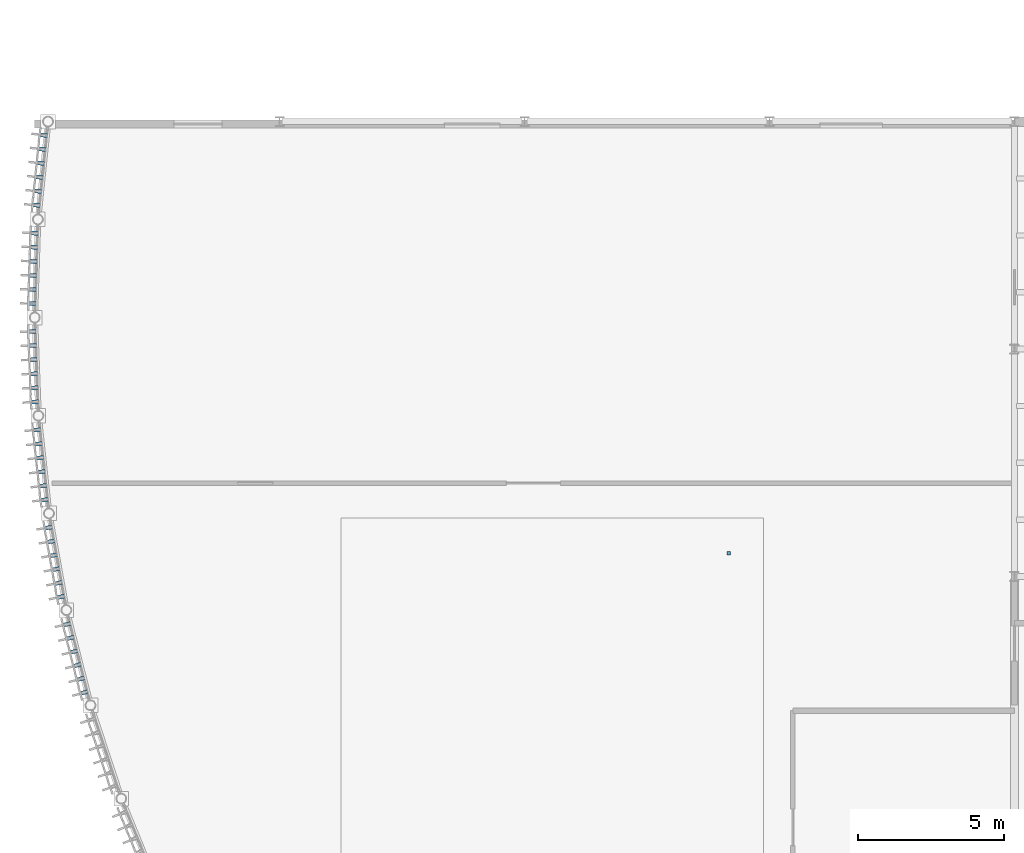
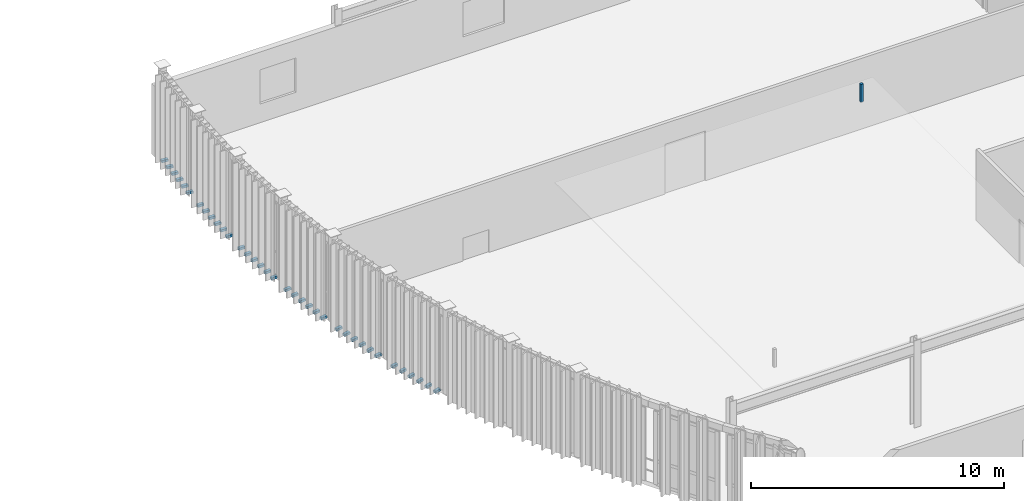
# One storey, part 22 of 26: 37 discrete accessories.
"""IFC4 building model written with IfcOpenShell, lengths in metres."""

import ifcopenshell
import ifcopenshell.guid

model = None  # the IFC model being written
_history = None  # IfcOwnerHistory: only IFC2X3 demands one
_inside = {}  # id of a spatial element -> (the spatial element, [elements in it])
_under = {}  # id of a project, library or spatial element -> (it, [spatial elements below it])
_declared = {}  # id of a project -> (the project, [libraries it declares])
_typed = {}  # id of a type object -> (the type object, [elements of that type])
_made_of = {}  # id of a material, layer set ... -> (it, [elements and type objects made of it])


def new_model(schema):
    """Start an empty IFC model of exactly this schema.

    Asked for "IFC4X3", IfcOpenShell would pick the latest addendum, in which some entities
    have other attributes; the version numbers below select the first issue.
    IFC2X3 requires an IfcOwnerHistory on every rooted entity: one is made here for all.
    """
    global model, _history
    if schema == "IFC4X3":
        model = ifcopenshell.file(schema_version=(4, 3, 0, 0))
    else:
        model = ifcopenshell.file(schema=schema)
    _inside.clear()
    _under.clear()
    _declared.clear()
    _typed.clear()
    _made_of.clear()
    _history = None
    if model.schema == "IFC2X3":
        org = make("IfcOrganization", Name="unknown")
        user = make(
            "IfcPersonAndOrganization",
            ThePerson=make("IfcPerson", FamilyName="unknown"),
            TheOrganization=org,
        )
        app = make(
            "IfcApplication",
            ApplicationDeveloper=org,
            Version="unknown",
            ApplicationFullName="unknown",
            ApplicationIdentifier="unknown",
        )
        _history = make(
            "IfcOwnerHistory",
            OwningUser=user,
            OwningApplication=app,
            ChangeAction="ADDED",
            CreationDate=0,
        )
    return model


def make(cls, **values):
    """One entity of the class cls with the attributes given. An attribute that is None is left unset."""
    return model.create_entity(
        cls, **{name: value for name, value in values.items() if value is not None}
    )


def rooted(cls, **values):
    """An entity with a GlobalId (a new one), such as an element, a storey or a relation."""
    return make(cls, GlobalId=ifcopenshell.guid.new(), OwnerHistory=_history, **values)


def si_unit(unit_type, name, prefix=None):
    """IfcSIUnit, for example si_unit("LENGTHUNIT", "METRE", prefix="MILLI")."""
    return make("IfcSIUnit", UnitType=unit_type, Prefix=prefix, Name=name)


def assignment(units):
    """IfcUnitAssignment: the units of a project."""
    return None if units is None else make("IfcUnitAssignment", Units=units)


def point(xyz):
    """IfcCartesianPoint."""
    return None if xyz is None else make("IfcCartesianPoint", Coordinates=xyz)


def direction(xyz):
    """IfcDirection."""
    return None if xyz is None else make("IfcDirection", DirectionRatios=xyz)


def frame(location, z_axis=None, x_axis=None):
    """IfcAxis2Placement3D, a coordinate frame: its origin and axes. An axis left out is left unset."""
    return make(
        "IfcAxis2Placement3D",
        Location=point(location),
        Axis=direction(z_axis),
        RefDirection=direction(x_axis),
    )


def frame_2d(location, x_axis=None):
    """IfcAxis2Placement2D, a coordinate frame in the plane: its origin and x axis."""
    return make(
        "IfcAxis2Placement2D", Location=point(location), RefDirection=direction(x_axis)
    )


def origin():
    """The frame at (0, 0, 0) with its axes left unset."""
    return frame((0.0, 0.0, 0.0))


def origin_2d():
    """The frame at (0, 0) in the plane with its x axis left unset."""
    return frame_2d((0.0, 0.0))


def place(relative_to, where):
    """IfcLocalPlacement: puts the frame where relative to a parent placement (None: the world)."""
    return make(
        "IfcLocalPlacement", PlacementRelTo=relative_to, RelativePlacement=where
    )


def context(
    kind, dimensions, precision=None, world=None, true_north=None, identifier=None
):
    """IfcGeometricRepresentationContext, for example the 3D "Model" context."""
    return make(
        "IfcGeometricRepresentationContext",
        ContextIdentifier=identifier,
        ContextType=kind,
        CoordinateSpaceDimension=dimensions,
        Precision=precision,
        WorldCoordinateSystem=world,
        TrueNorth=true_north,
    )


def subcontext(parent, identifier, kind, view, scale=None):
    """IfcGeometricRepresentationSubContext, for example "Body" below "Model"."""
    return make(
        "IfcGeometricRepresentationSubContext",
        ContextIdentifier=identifier,
        ContextType=kind,
        ParentContext=parent,
        TargetScale=scale,
        TargetView=view,
    )


def project(units=None, contexts=None):
    """IfcProject with its units and contexts."""
    return rooted(
        "IfcProject",
        Name="project",
        RepresentationContexts=contexts,
        UnitsInContext=assignment(units),
    )


def spatial(cls, under=None, at=None, **own):
    """A site, building, storey or space (cls), placed at a placement, below another one or the project."""
    s = rooted(cls, ObjectPlacement=at, **own)
    if under is not None:
        _under.setdefault(under.id(), (under, []))[1].append(s)
    return s


def profile(cls, at=None, kind="AREA", **sizes):
    """A parametric profile (cls). Its sizes go by their IFC names, for example OverallWidth=200.0."""
    return make(cls, ProfileType=kind, Position=at, **sizes)


def rectangle(**sizes):
    """IfcRectangleProfileDef."""
    return profile("IfcRectangleProfileDef", **sizes)


def extrude(swept, where, along, depth):
    """IfcExtrudedAreaSolid: the profile swept, set in the frame where, extruded along a direction by depth."""
    return make(
        "IfcExtrudedAreaSolid",
        SweptArea=swept,
        Position=where,
        ExtrudedDirection=direction(along),
        Depth=depth,
    )


def shape(context_of_items, identifier, shape_type, items):
    """IfcShapeRepresentation: the items that make up one representation, for example the "Body"."""
    return make(
        "IfcShapeRepresentation",
        ContextOfItems=context_of_items,
        RepresentationIdentifier=identifier,
        RepresentationType=shape_type,
        Items=items,
    )


def material(Name=None, Category=None):
    """IfcMaterial."""
    return make("IfcMaterial", Name=Name, Category=Category)


def made_of(thing, what):
    """Note that an element or type object is made of a material, layer set ...; save() writes the relation."""
    if what is not None:
        _made_of.setdefault(what.id(), (what, []))[1].append(thing)
    return thing


def type_object(cls, material=None, **own):
    """A type object (cls), such as IfcWallType, which elements share."""
    return made_of(rooted(cls, **own), material)


def element(
    cls,
    number,
    at=None,
    inside=None,
    cuts=None,
    type_object=None,
    material=None,
    context=None,
    identifier="Body",
    shape_type=None,
    held_by="IfcProductDefinitionShape",
    body=None,
    shapes=None,
    **own,
):
    """One element of the class cls, such as IfcWall. Its Tag is "e" and its number.

    at: its placement. inside: the storey or other place that contains it. cuts: it is an
    opening in that element (IfcRelVoidsElement). A single representation is given by context,
    identifier, shape_type and body (its items); several are given by shapes. held_by: the class
    of the entity that holds the representations. save() writes the other relations.
    """
    e = rooted(cls, Tag="e%d" % number, ObjectPlacement=at, **own)
    if body is not None:
        shapes = [shape(context, identifier, shape_type, body)]
    if shapes is not None:
        e.Representation = make(held_by, Representations=shapes)
    if inside is not None:
        _inside.setdefault(inside.id(), (inside, []))[1].append(e)
    if cuts is not None:
        rooted(
            "IfcRelVoidsElement", RelatingBuildingElement=cuts, RelatedOpeningElement=e
        )
    if type_object is not None:
        _typed.setdefault(type_object.id(), (type_object, []))[1].append(e)
    return made_of(e, material)


def aggregate(whole, parts):
    """IfcRelAggregates: a whole, such as a stair, and the parts it consists of."""
    return rooted("IfcRelAggregates", RelatingObject=whole, RelatedObjects=parts)


def save(model, path):
    """Write the relations noted so far, then the file.

    IfcRelAggregates (storeys below a building ...), IfcRelContainedInSpatialStructure (elements
    in a storey), IfcRelDefinesByType, IfcRelAssociatesMaterial and IfcRelDeclares: one each for
    every whole, place, type object, material and project.
    """
    for whole, parts in _under.values():
        aggregate(whole, parts)
    for where, things in _inside.values():
        rooted(
            "IfcRelContainedInSpatialStructure",
            RelatedElements=things,
            RelatingStructure=where,
        )
    for kind, things in _typed.values():
        rooted("IfcRelDefinesByType", RelatedObjects=things, RelatingType=kind)
    for what, things in _made_of.values():
        rooted("IfcRelAssociatesMaterial", RelatedObjects=things, RelatingMaterial=what)
    for by, libraries in _declared.values():
        rooted("IfcRelDeclares", RelatingContext=by, RelatedDefinitions=libraries)
    model.write(path)


model = new_model("IFC4")

# Units and contexts
model_context = context("Model", 3, precision=1e-05, world=origin(), true_north=direction((0.0, 1.0)))
body_context = subcontext(model_context, "Body", "Model", "MODEL_VIEW")
ifc_project = project(units=[si_unit("LENGTHUNIT", "METRE"), si_unit("AREAUNIT", "SQUARE_METRE"), si_unit("VOLUMEUNIT", "CUBIC_METRE"), si_unit("PLANEANGLEUNIT", "RADIAN"), si_unit("MASSUNIT", "GRAM", prefix="KILO")], contexts=[model_context])

# Site, building, storey
site_placement = place(None, origin())
site = spatial("IfcSite", under=ifc_project, at=site_placement, CompositionType="ELEMENT")
building_placement = place(site_placement, origin())
building = spatial("IfcBuilding", under=site, at=building_placement, Name="Selat Folded Stagehouse", CompositionType="ELEMENT")
storey_placement = place(building_placement, frame((0.0, 0.0, 23.39990234375)))
storey = spatial("IfcBuildingStorey", under=building, at=storey_placement, Name="L05", CompositionType="ELEMENT", Elevation=23.39990234375)

# Discrete accessories
ifc_material_1 = material(Name="Stainless steel 1.4401", Category="steel")
discrete_accessory_type_1 = type_object("IfcDiscreteAccessoryType", Name="ACC-BRK-280x140x110", PredefinedType="BRACKET", material=ifc_material_1)
for number, where, z_axis, x_axis, name in (
    (1, (0.28759765625, 54.13671875, -0.134765625), (0.0, 0.0, 1.0), (-0.991827775753, 0.127583945876, 0.0), "L05 solar fin slab bracket 005"),
    (2, (0.23779296875, 53.656494140625, -0.134765625), (0.0, 0.0, 1.0), (-0.993068456955, 0.117537397458, 0.0), "L05 solar fin slab bracket 010"),
    (3, (0.1884765625, 53.1767578125, -0.134765625), (0.0, 0.0, 1.0), (-0.994188602291, 0.107652324982, 0.0), "L05 solar fin slab bracket 015"),
    (4, (0.138916015625, 52.69677734375, -0.134765625), (0.0, 0.0, 1.0), (-0.995227399982, 0.097582899759, 0.0), "L05 solar fin slab bracket 020"),
    (5, (0.08935546875, 52.216796875, -0.134765625), (0.0, 0.0, 1.0), (-0.996148926897, 0.087677337101, 0.0), "L05 solar fin slab bracket 025"),
    (6, (0.039794921875, 51.73681640625, -0.134765625), (0.0, 0.0, 1.0), (-0.996971865568, 0.077763097071, 0.0), "L05 solar fin slab bracket 030"),
    (7, (-0.025390625, 50.774658203125, -0.134765625), (0.0, 0.0, 1.0), (-0.99833175459, 0.0577382696, 0.0), "L05 solar fin slab bracket 036"),
    (8, (-0.041259765625, 50.29248046875, -0.134765625), (0.0, 0.0, 1.0), (-0.998865073158, 0.047629461744, 0.0), "L05 solar fin slab bracket 042"),
    (9, (-0.056884765625, 49.810302734375, -0.134765625), (0.0, 0.0, 1.0), (-0.999289472641, 0.03769018267, 0.0), "L05 solar fin slab bracket 048"),
    (10, (-0.07275390625, 49.327880859375, -0.134765625), (0.0, 0.0, 1.0), (-0.999619800631, 0.027572707275, 0.0), "L05 solar fin slab bracket 054"),
    (11, (-0.08837890625, 48.845703125, -0.134765625), (0.0, 0.0, 1.0), (-0.999844633908, 0.017626912514, 0.0), "L05 solar fin slab bracket 060"),
    (12, (-0.104248046875, 48.363525390625, -0.134765625), (0.0, 0.0, 1.0), (-0.999971838252, 0.007504845333, 0.0), "L05 solar fin slab bracket 066"),
    (13, (-0.101806640625, 47.399169921875, -0.134765625), (0.0, 0.0, 1.0), (-0.999921044204, -0.012566039883, 0.0), "L05 solar fin slab bracket 072"),
    (14, (-0.083740234375, 46.9169921875, -0.134765625), (0.0, 0.0, 1.0), (-0.999746553782, -0.022512845226, 0.0), "L05 solar fin slab bracket 078"),
    (15, (-0.065673828125, 46.434814453125, -0.134765625), (0.0, 0.0, 1.0), (-0.999467438949, -0.032631862958, 0.0), "L05 solar fin slab bracket 084"),
    (16, (-0.04736328125, 45.95263671875, -0.134765625), (0.0, 0.0, 1.0), (-0.9990933519, -0.042573162788, 0.0), "L05 solar fin slab bracket 090"),
    (17, (-0.029296875, 45.470703125, -0.134765625), (0.0, 0.0, 1.0), (-0.998620385197, -0.052510249179, 0.0), "L05 solar fin slab bracket 096"),
    (18, (-0.01123046875, 44.98828125, -0.134765625), (0.0, 0.0, 1.0), (-0.99803767224, -0.06261633005, 0.0), "L05 solar fin slab bracket 102"),
    (19, (0.058837890625, 44.026611328125, -0.134765625), (0.0, 0.0, 1.0), (-0.996579940078, -0.08263427276, 0.0), "L05 solar fin slab bracket 108"),
    (20, (0.11083984375, 43.546875, -0.134765625), (0.0, 0.0, 1.0), (-0.99570856131, -0.092544372783, 0.0), "L05 solar fin slab bracket 114"),
    (21, (0.16259765625, 43.067138671875, -0.134765625), (0.0, 0.0, 1.0), (-0.994720742649, -0.10261892683, 0.0), "L05 solar fin slab bracket 120"),
    (22, (0.214599609375, 42.58740234375, -0.134765625), (0.0, 0.0, 1.0), (-0.993650644295, -0.112509542228, 0.0), "L05 solar fin slab bracket 126"),
    (23, (0.2666015625, 42.10791015625, -0.134765625), (0.0, 0.0, 1.0), (-0.992460828919, -0.122562241583, 0.0), "L05 solar fin slab bracket 132"),
    (24, (0.318359375, 41.628173828125, -0.134765625), (0.0, 0.0, 1.0), (-0.99119244206, -0.13242938799, 0.0), "L05 solar fin slab bracket 138"),
    (25, (0.455810546875, 40.673583984375, -0.134765625), (0.0, 0.0, 1.0), (-0.988334944875, -0.152295885498, 0.0), "L05 solar fin slab bracket 144"),
    (26, (0.541015625, 40.19873046875, -0.134765625), (0.0, 0.0, 1.0), (-0.986770965572, -0.162120515372, 0.0), "L05 solar fin slab bracket 150"),
    (27, (0.62646484375, 39.723876953125, -0.134765625), (0.0, 0.0, 1.0), (-0.985079303862, -0.172101031672, 0.0), "L05 solar fin slab bracket 156"),
    (28, (0.7119140625, 39.248779296875, -0.134765625), (0.0, 0.0, 1.0), (-0.983318459858, -0.181892293686, 0.0), "L05 solar fin slab bracket 162"),
    (29, (0.79736328125, 38.774169921875, -0.134765625), (0.0, 0.0, 1.0), (-0.981426830534, -0.191836848149, 0.0), "L05 solar fin slab bracket 168"),
    (30, (0.8828125, 38.29931640625, -0.134765625), (0.0, 0.0, 1.0), (-0.979469831173, -0.20159079796, 0.0), "L05 solar fin slab bracket 174"),
    (31, (1.086669921875, 37.356689453125, -0.134765625), (0.0, 0.0, 1.0), (-0.975226629909, -0.22120809279, 0.0), "L05 solar fin slab bracket 180"),
    (32, (1.205078125, 36.888916015625, -0.134765625), (0.0, 0.0, 1.0), (-0.972937431695, -0.231068721395, 0.0), "L05 solar fin slab bracket 186"),
    (33, (1.32373046875, 36.421142578125, -0.134765625), (0.0, 0.0, 1.0), (-0.970590565411, -0.240736275485, 0.0), "L05 solar fin slab bracket 192"),
    (34, (1.442138671875, 35.95361328125, -0.134765625), (0.0, 0.0, 1.0), (-0.968103926078, -0.25054897388, 0.0), "L05 solar fin slab bracket 198"),
    (35, (1.560791015625, 35.48583984375, -0.134765625), (0.0, 0.0, 1.0), (-0.965563505285, -0.260167479254, 0.0), "L05 solar fin slab bracket 204"),
    (36, (1.67919921875, 35.01806640625, -0.134765625), (0.0, 0.0, 1.0), (-0.962880426559, -0.26992829446, 0.0), "L05 solar fin slab bracket 210"),
):
    element("IfcDiscreteAccessory", number, at=place(storey_placement, frame(where, z_axis=z_axis, x_axis=x_axis)), inside=storey, type_object=discrete_accessory_type_1, Name=name, PredefinedType="BRACKET", context=body_context, shape_type="SweptSolid", body=[
        extrude(rectangle(XDim=0.280029296875, YDim=0.139892578125, at=origin_2d()), origin(), (0.0, 0.0, 1.0), 0.110107421875),
    ])
ifc_material_2 = material(Name="Galvanised steel acoustic hanger rod", Category="steel")
discrete_accessory_type_2 = type_object("IfcDiscreteAccessoryType", Name="ACC-HGR-860", PredefinedType="BRACKET", material=ifc_material_2)
discrete_accessory_placement = place(storey_placement, frame((23.800048828125, 39.800048828125, 3.22021484375), z_axis=(0.0, 0.0, 1.0), x_axis=(1.0, 0.0, 0.0)))
element("IfcDiscreteAccessory", 37, at=discrete_accessory_placement, inside=storey, type_object=discrete_accessory_type_2, Name="L05 acoustic ceiling hanger CLG-L05-SKY-2", PredefinedType="BRACKET", context=body_context, shape_type="SweptSolid", body=[
    extrude(rectangle(XDim=0.1201171875, YDim=0.1201171875, at=origin_2d()), origin(), (0.0, 0.0, 1.0), 0.860107421875),
])

save(model, "model.ifc")
